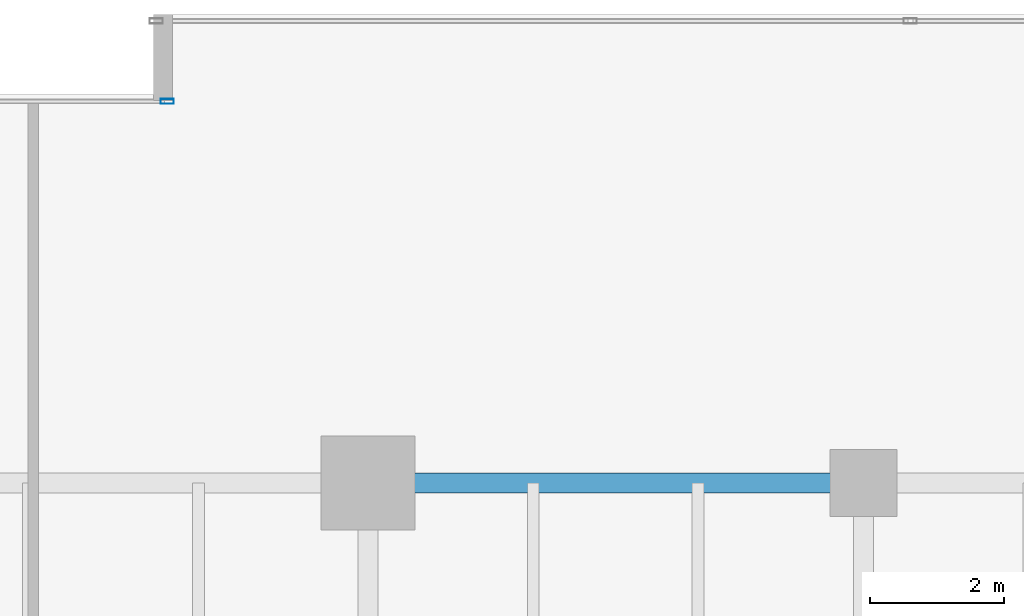
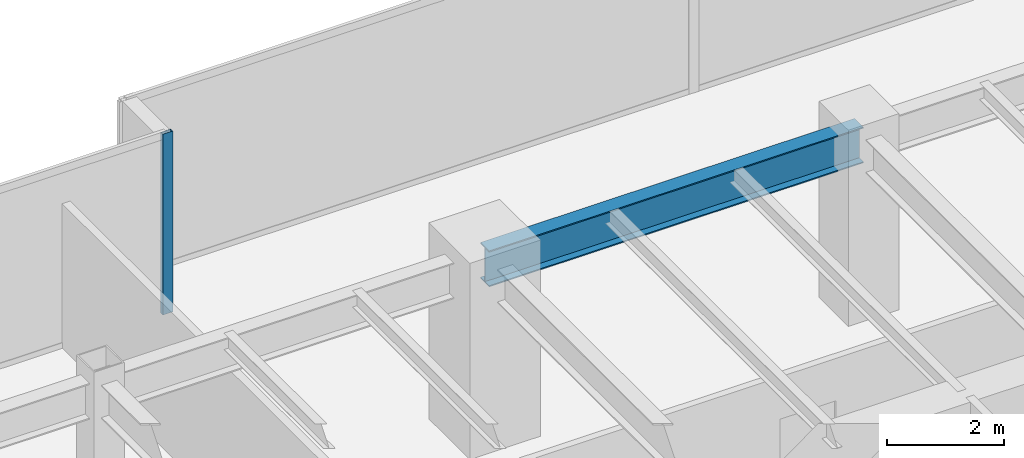
# One storey, part 20 of 35: 1 beam, 1 member, 1 element without a shape of its own.
"""IFC4 building model written with IfcOpenShell, lengths in metres."""

from ifc_helpers import new_model, si_unit, direction, frame, origin, origin_2d, place, context, subcontext, project, spatial, hollow_rectangle, i_section, extrude, source, transform, mapped, material, layer, layer_set, material_profile, profile_set, type_object, type_shapes, element, aggregate, save


model = new_model("IFC4")

# Units and contexts
model_context = context("Model", 3, precision=1e-05, world=origin(), true_north=direction((0.0, 1.0)))
body_context = subcontext(model_context, "Body", "Model", "MODEL_VIEW")
ifc_project = project(units=[si_unit("LENGTHUNIT", "METRE"), si_unit("AREAUNIT", "SQUARE_METRE"), si_unit("VOLUMEUNIT", "CUBIC_METRE"), si_unit("PLANEANGLEUNIT", "RADIAN"), si_unit("MASSUNIT", "GRAM", prefix="KILO")], contexts=[model_context])

# Site, building, storey
site_placement = place(None, origin())
site = spatial("IfcSite", under=ifc_project, at=site_placement, CompositionType="ELEMENT")
building_placement = place(site_placement, origin())
building = spatial("IfcBuilding", under=site, at=building_placement, Name="Haelvirn Gate Laboratories", CompositionType="ELEMENT")
storey_placement = place(building_placement, frame((0.0, 0.0, 37.5)))
storey = spatial("IfcBuildingStorey", under=building, at=storey_placement, Name="L09", CompositionType="ELEMENT", Elevation=37.5)

# Beam
ifc_material_1 = material(Name="Steel SM355", Category="steel")
ifc_material_profile_1 = material_profile(ifc_material_1, i_section(OverallWidth=0.300048828125, OverallDepth=0.75, WebThickness=0.013916015625, FlangeThickness=0.02392578125, at=origin_2d()), Name="H-750x300x14x24")
ifc_profile_set_1 = profile_set([ifc_material_profile_1], Name="Steel SM355")
beam_type = type_object("IfcBeamType", Name="BM-G-750", PredefinedType="BEAM", material=ifc_profile_set_1)
shared_shape_1 = source(origin(), body_context, "Body", "SweptSolid", [
    extrude(i_section(OverallWidth=0.300048828125, OverallDepth=0.75, WebThickness=0.013916015625, FlangeThickness=0.02392578125, at=origin_2d()), origin(), (0.0, 0.0, 1.0), 7.39990234375),
])
type_shapes(beam_type, [shared_shape_1])
beam_placement = place(storey_placement, frame((52.60009765625, 41.60009765625, 3.405029296875), z_axis=(1.0, 0.0, 0.0), x_axis=(0.0, 1.0, 0.0)))
element("IfcBeam", 1, at=beam_placement, inside=storey, type_object=beam_type, Name="L09 Primary Girder Y41.6 (52.6-60.0)", PredefinedType="BEAM", context=body_context, shape_type="MappedRepresentation", body=[
    mapped(shared_shape_1, transform((0.0, 0.0, 0.0), scale=1.0)),
])

# Curtain wall, member
ifc_material_2 = material(Name="Anodised bronze unitised aluminium & triple low-E glass", Category="aluminium")
ifc_layer = layer(ifc_material_2, 0.18408203125, Name="CW-SYS-2")
ifc_layer_set = layer_set([ifc_layer], Name="Anodised bronze unitised aluminium & triple low-E glass")
curtain_wall_type = type_object("IfcCurtainWallType", Name="CW-SYS-2", PredefinedType="NOTDEFINED", material=ifc_layer_set)
curtain_wall_placement = place(storey_placement, origin())
curtain_wall = element("IfcCurtainWall", 2, at=curtain_wall_placement, inside=storey, type_object=curtain_wall_type, Name="L09 Unitised Curtain Wall CW-L09-P0-E12-1", PredefinedType="NOTDEFINED")
ifc_material_3 = material(Name="Extruded aluminium 6063-T6 (anodised bronze)", Category="aluminium")
ifc_material_profile_2 = material_profile(ifc_material_3, hollow_rectangle(XDim=0.074951171875, YDim=0.199951171875, WallThickness=0.0048828125, at=origin_2d()), Name="CWM-200x75x5")
ifc_profile_set_2 = profile_set([ifc_material_profile_2], Name="Extruded aluminium 6063-T6 (anodised bronze)")
member_type = type_object("IfcMemberType", Name="CWM-T200", PredefinedType="MULLION", material=ifc_profile_set_2)
shared_shape_2 = source(origin(), body_context, "Body", "SweptSolid", [
    extrude(hollow_rectangle(XDim=0.074951171875, YDim=0.199951171875, WallThickness=0.0048828125, at=origin_2d()), origin(), (0.0, 0.0, 1.0), 3.780029296875),
])
type_shapes(member_type, [shared_shape_2])
member_placement = place(storey_placement, frame((49.6025390625, 47.300048828125, 0.0), z_axis=(0.0, 0.0, 1.0), x_axis=(0.0, 1.0, 0.0)))
member = element("IfcMember", 3, at=member_placement, type_object=member_type, Name="CW2 mullion 3", PredefinedType="MULLION", context=body_context, shape_type="MappedRepresentation", body=[
    mapped(shared_shape_2, transform((0.0, 0.0, 0.0), scale=1.0)),
])
aggregate(curtain_wall, [member])

save(model, "model.ifc")
